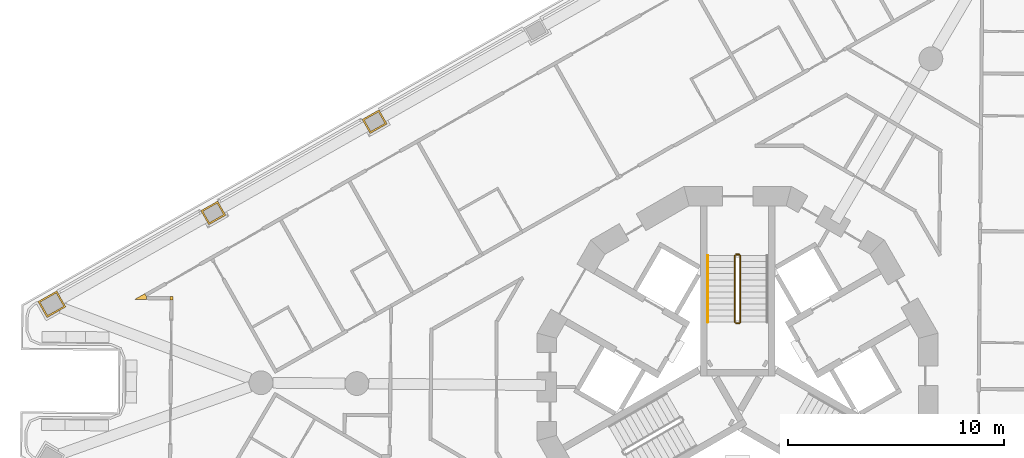
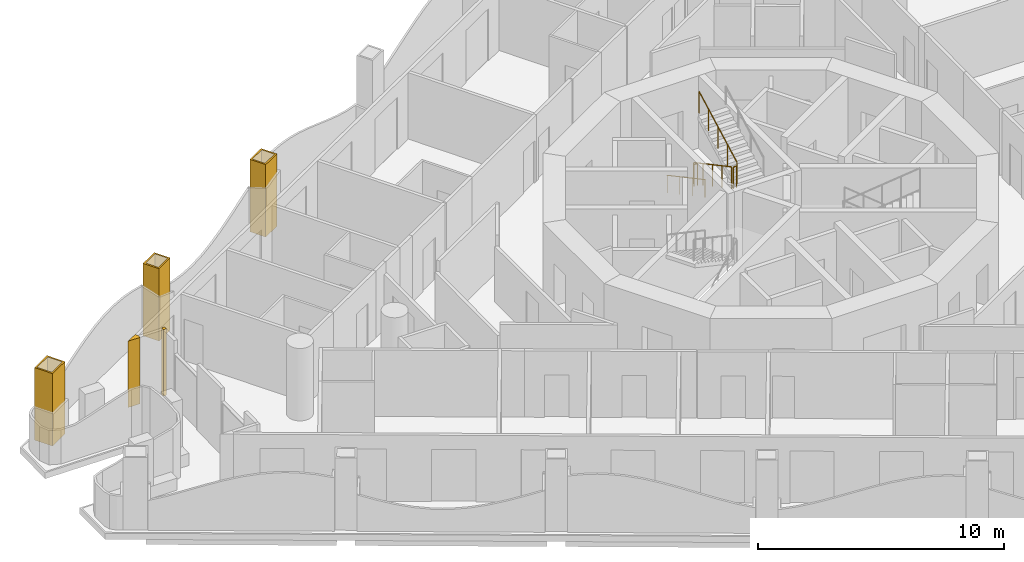
# One storey, part 15 of 17: 5 coverings, 5 railings.
"""IFC4 building model written with IfcOpenShell, lengths in metres."""

from ifc_helpers import new_model, si_unit, direction, frame, origin, origin_2d, place, context, subcontext, project, spatial, polyline, circle, outline, extrude, material, layer, layer_set, type_object, element, save


model = new_model("IFC4")

# Units and contexts
model_context = context("Model", 3, precision=1e-05, world=origin(), true_north=direction((0.0, 1.0)))
body_context = subcontext(model_context, "Body", "Model", "MODEL_VIEW")
ifc_project = project(units=[si_unit("LENGTHUNIT", "METRE"), si_unit("AREAUNIT", "SQUARE_METRE"), si_unit("VOLUMEUNIT", "CUBIC_METRE"), si_unit("PLANEANGLEUNIT", "RADIAN"), si_unit("MASSUNIT", "GRAM", prefix="KILO")], contexts=[model_context])

# Site, building, storey
site_placement = place(None, origin())
site = spatial("IfcSite", under=ifc_project, at=site_placement, CompositionType="ELEMENT")
building_placement = place(site_placement, origin())
building = spatial("IfcBuilding", under=site, at=building_placement, Name="Trine Commons Tower", CompositionType="ELEMENT")
storey_placement = place(building_placement, frame((0.0, 0.0, 186.300048828125)))
storey = spatial("IfcBuildingStorey", under=building, at=storey_placement, Name="L48", CompositionType="ELEMENT", Elevation=186.300048828125)

# Coverings
ifc_material_1 = material(Name="Aluminium-framed insulated wall panel", Category="aluminium")
ifc_layer_1 = layer(ifc_material_1, 0.14990234375)
ifc_layer_set_1 = layer_set([ifc_layer_1], Name="Aluminium-framed insulated wall panel")
covering_type_1 = type_object("IfcCoveringType", Name="Glazing corner post, aluminium", PredefinedType="CLADDING", material=ifc_layer_set_1)
covering_1_placement = place(storey_placement, origin())
element("IfcCovering", 1, at=covering_1_placement, inside=storey, type_object=covering_type_1, Name="Glazing corner post 5-03", PredefinedType="CLADDING", context=body_context, shape_type="SweptSolid", body=[
    extrude(outline(polyline([(53.89892578125, 66.517822265625), (53.900390625, 66.66796875), (53.750244140625, 66.669189453125), (53.7490234375, 66.519287109375), (53.89892578125, 66.517822265625)])), origin(), (0.0, 0.0, 1.0), 3.300048828125),
])
covering_2_placement = place(storey_placement, origin())
element("IfcCovering", 2, at=covering_2_placement, inside=storey, type_object=covering_type_1, Name="Glazing corner post 5-04", PredefinedType="CLADDING", context=body_context, shape_type="SweptSolid", body=[
    extrude(outline(polyline([(52.663330078125, 66.52880859375), (52.66455078125, 66.6787109375), (52.5908203125, 66.809326171875), (52.103515625, 66.53369140625), (52.663330078125, 66.52880859375)])), origin(), (0.0, 0.0, 1.0), 3.300048828125),
])
ifc_material_2 = material(Name="Limestone, honed", Category="masonry")
ifc_layer_2 = layer(ifc_material_2, 0.074951171875)
ifc_layer_set_2 = layer_set([ifc_layer_2], Name="Limestone, honed")
covering_type_2 = type_object("IfcCoveringType", Name="Limestone column cladding 75", PredefinedType="CLADDING", material=ifc_layer_set_2)
covering_3_placement = place(storey_placement, origin())
element("IfcCovering", 3, at=covering_3_placement, inside=storey, type_object=covering_type_2, Name="Limestone pier cladding 5-08", PredefinedType="CLADDING", context=body_context, shape_type="SweptSolid", body=[
    extrude(outline(polyline([(48.94091796875, 66.197509765625), (48.522216796875, 66.9375), (47.65185546875, 66.445068359375), (48.0703125, 65.705078125), (48.94091796875, 66.197509765625)]), holes=[polyline([(48.83837890625, 66.22607421875), (48.493896484375, 66.835205078125), (47.754150390625, 66.41650390625), (48.0986328125, 65.807373046875), (48.83837890625, 66.22607421875)])]), origin(), (0.0, 0.0, 1.0), 3.599853515625),
])
covering_4_placement = place(storey_placement, origin())
element("IfcCovering", 4, at=covering_4_placement, inside=storey, type_object=covering_type_2, Name="Limestone pier cladding 5-09", PredefinedType="CLADDING", context=body_context, shape_type="SweptSolid", body=[
    extrude(outline(polyline([(56.33203125, 70.43701171875), (55.962890625, 71.089599609375), (55.179443359375, 70.646484375), (55.548828125, 69.99365234375), (56.33203125, 70.43701171875)]), holes=[polyline([(56.22998046875, 70.46533203125), (55.9345703125, 70.987548828125), (55.28173828125, 70.6181640625), (55.5771484375, 70.095947265625), (56.22998046875, 70.46533203125)])]), origin(), (0.0, 0.0, 1.0), 3.599853515625),
])
covering_5_placement = place(storey_placement, origin())
element("IfcCovering", 5, at=covering_5_placement, inside=storey, type_object=covering_type_2, Name="Limestone pier cladding 5-10", PredefinedType="CLADDING", context=body_context, shape_type="SweptSolid", body=[
    extrude(outline(polyline([(63.79150390625, 74.6572265625), (63.422119140625, 75.31005859375), (62.638916015625, 74.86669921875), (63.00830078125, 74.214111328125), (63.79150390625, 74.6572265625)]), holes=[polyline([(63.689208984375, 74.685546875), (63.393798828125, 75.207763671875), (62.7412109375, 74.83837890625), (63.03662109375, 74.316162109375), (63.689208984375, 74.685546875)])]), origin(), (0.0, 0.0, 1.0), 3.599853515625),
])

# Railings
ifc_material_3 = material(Name="Stainless steel balustrade", Category="steel")
railing_type_1 = type_object("IfcRailingType", Name="Stair guard, steel balustrade 1100", PredefinedType="GUARDRAIL", material=ifc_material_3)
railing_1_placement = place(storey_placement, frame((79.875, 68.570556640625, 0.14990234375)))
element("IfcRailing", 6, at=railing_1_placement, inside=storey, type_object=railing_type_1, Name="L48 ST1B stair guard 1", PredefinedType="GUARDRAIL", context=body_context, shape_type="SweptSolid", body=[
    extrude(circle(Radius=0.02392578125, at=origin_2d()), frame((0.0, 0.0, 1.076171875), z_axis=(0.0, -0.881467505477, 0.472244678941), x_axis=(1.0, 0.0, 0.0)), (0.0, 0.0, 1.0), 3.494140625),
    extrude(circle(Radius=0.02099609375, at=origin_2d()), origin(), (0.0, 0.0, 1.0), 1.052001953125),
    extrude(circle(Radius=0.02099609375, at=origin_2d()), frame((0.0, -0.77001953125, 0.41259765625)), (0.0, 0.0, 1.0), 1.052001953125),
    extrude(circle(Radius=0.02099609375, at=origin_2d()), frame((0.0, -1.5400390625, 0.8251953125)), (0.0, 0.0, 1.0), 1.052001953125),
    extrude(circle(Radius=0.02099609375, at=origin_2d()), frame((0.0, -2.31005859375, 1.237548828125)), (0.0, 0.0, 1.0), 1.052001953125),
    extrude(circle(Radius=0.02099609375, at=origin_2d()), frame((0.0, -3.080078125, 1.650146484375)), (0.0, 0.0, 1.0), 1.052001953125),
])
railing_2_placement = place(storey_placement, frame((79.925048828125, 65.440673828125, 1.800048828125)))
element("IfcRailing", 7, at=railing_2_placement, inside=storey, type_object=railing_type_1, Name="L48 ST1B stair guard 2", PredefinedType="GUARDRAIL", context=body_context, shape_type="SweptSolid", body=[
    extrude(circle(Radius=0.02392578125, at=origin_2d()), frame((0.0, 0.0, 1.076171875), z_axis=(1.0, 0.0, 0.0), x_axis=(0.0, 1.0, 0.0)), (0.0, 0.0, 1.0), 0.14990234375),
    extrude(circle(Radius=0.02099609375, at=origin_2d()), origin(), (0.0, 0.0, 1.0), 1.052001953125),
    extrude(circle(Radius=0.02099609375, at=origin_2d()), frame((0.14990234375, 0.0, 0.0)), (0.0, 0.0, 1.0), 1.052001953125),
])
railing_3_placement = place(storey_placement, frame((80.125, 65.490478515625, 1.949951171875)))
element("IfcRailing", 8, at=railing_3_placement, inside=storey, type_object=railing_type_1, Name="L48 ST1B stair guard 3", PredefinedType="GUARDRAIL", context=body_context, shape_type="SweptSolid", body=[
    extrude(circle(Radius=0.02392578125, at=origin_2d()), frame((0.0, 0.0, 1.076171875), z_axis=(0.0, 0.881496589024, 0.472190389079), x_axis=(-1.0, 0.0, 0.0)), (0.0, 0.0, 1.0), 3.494140625),
    extrude(circle(Radius=0.02099609375, at=origin_2d()), origin(), (0.0, 0.0, 1.0), 1.052001953125),
    extrude(circle(Radius=0.02099609375, at=origin_2d()), frame((0.0, 0.77001953125, 0.41259765625)), (0.0, 0.0, 1.0), 1.052001953125),
    extrude(circle(Radius=0.02099609375, at=origin_2d()), frame((0.0, 1.5400390625, 0.824951171875)), (0.0, 0.0, 1.0), 1.052001953125),
    extrude(circle(Radius=0.02099609375, at=origin_2d()), frame((0.0, 2.31005859375, 1.2373046875)), (0.0, 0.0, 1.0), 1.052001953125),
    extrude(circle(Radius=0.02099609375, at=origin_2d()), frame((0.0, 3.080078125, 1.64990234375)), (0.0, 0.0, 1.0), 1.052001953125),
])
railing_4_placement = place(storey_placement, frame((79.925048828125, 68.62060546875, 0.0)))
element("IfcRailing", 9, at=railing_4_placement, inside=storey, type_object=railing_type_1, Name="L48 ST1B stair guard 4", PredefinedType="GUARDRAIL", context=body_context, shape_type="SweptSolid", body=[
    extrude(circle(Radius=0.02392578125, at=origin_2d()), frame((0.0, 0.0, 1.076171875), z_axis=(1.0, 0.0, 0.0), x_axis=(0.0, 1.0, 0.0)), (0.0, 0.0, 1.0), 0.14990234375),
    extrude(circle(Radius=0.02099609375, at=origin_2d()), origin(), (0.0, 0.0, 1.0), 1.052001953125),
    extrude(circle(Radius=0.02099609375, at=origin_2d()), frame((0.14990234375, 0.0, 0.0)), (0.0, 0.0, 1.0), 1.052001953125),
])
ifc_material_4 = material(Name="Stainless steel handrail", Category="steel")
railing_type_2 = type_object("IfcRailingType", Name="Stair handrail, steel 900", PredefinedType="HANDRAIL", material=ifc_material_4)
railing_5_placement = place(storey_placement, frame((78.625, 68.570556640625, 0.14990234375)))
element("IfcRailing", 10, at=railing_5_placement, inside=storey, type_object=railing_type_2, Name="L48 ST1B stair handrail 1", PredefinedType="HANDRAIL", context=body_context, shape_type="SweptSolid", body=[
    extrude(circle(Radius=0.02099609375, at=origin_2d()), frame((0.0, 0.0, 0.87890625), z_axis=(0.0, -0.881467505477, 0.472244678941), x_axis=(1.0, 0.0, 0.0)), (0.0, 0.0, 1.0), 3.494140625),
    extrude(circle(Radius=0.01513671875, at=origin_2d()), origin(), (0.0, 0.0, 1.0), 0.85791015625),
    extrude(circle(Radius=0.01513671875, at=origin_2d()), frame((0.0, -1.026611328125, 0.550048828125)), (0.0, 0.0, 1.0), 0.85791015625),
    extrude(circle(Radius=0.01513671875, at=origin_2d()), frame((0.0, -2.053466796875, 1.10009765625)), (0.0, 0.0, 1.0), 0.85791015625),
    extrude(circle(Radius=0.01513671875, at=origin_2d()), frame((0.0, -3.080078125, 1.650146484375)), (0.0, 0.0, 1.0), 0.85791015625),
])

save(model, "model.ifc")
